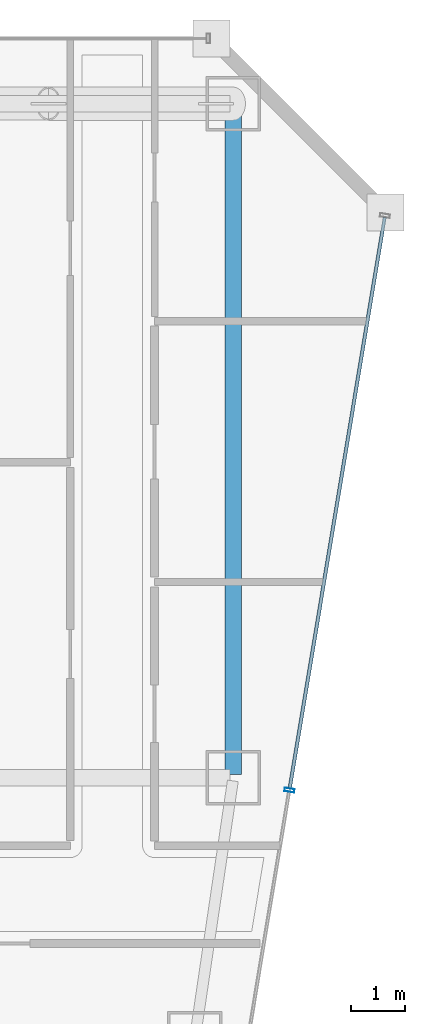
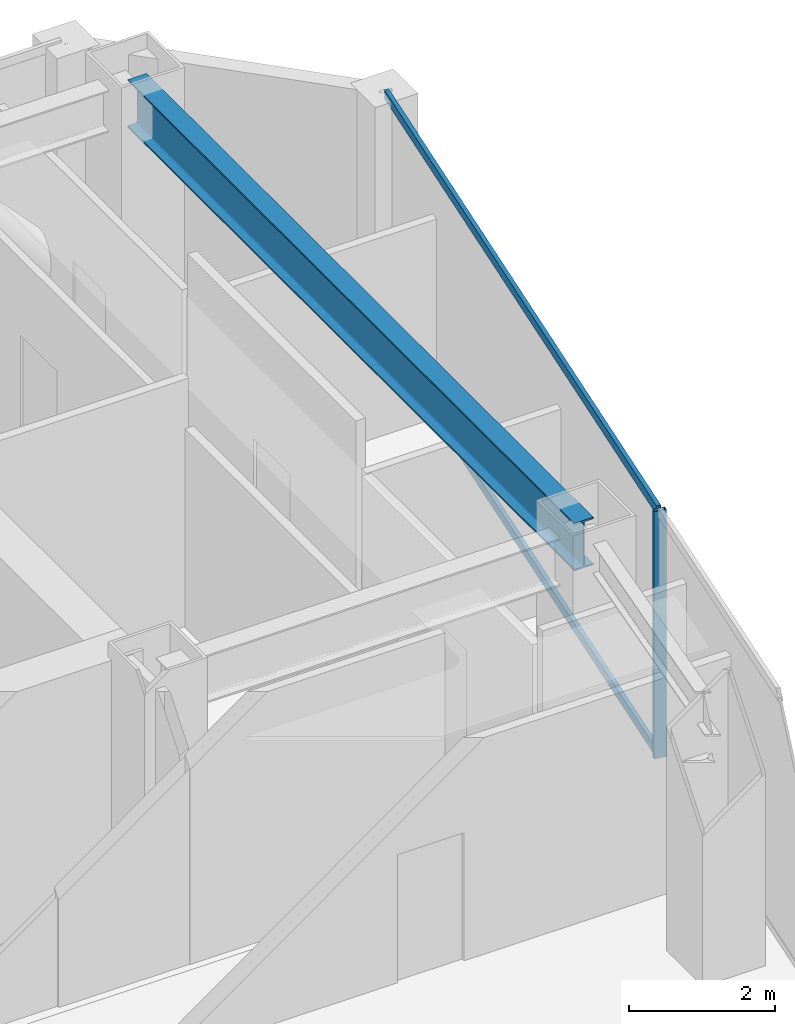
# One storey, part 23 of 35: 3 members, 1 beam, 1 element without a shape of its own.
"""IFC4 building model written with IfcOpenShell, lengths in metres."""

from ifc_helpers import new_model, si_unit, direction, frame, origin, origin_2d, place, context, subcontext, project, spatial, hollow_rectangle, i_section, extrude, material, material_profile, profile_set, type_object, element, aggregate, save


model = new_model("IFC4")

# Units and contexts
model_context = context("Model", 3, precision=1e-05, world=origin(), true_north=direction((0.0, 1.0)))
body_context = subcontext(model_context, "Body", "Model", "MODEL_VIEW")
ifc_project = project(units=[si_unit("LENGTHUNIT", "METRE"), si_unit("AREAUNIT", "SQUARE_METRE"), si_unit("VOLUMEUNIT", "CUBIC_METRE"), si_unit("PLANEANGLEUNIT", "RADIAN"), si_unit("MASSUNIT", "GRAM", prefix="KILO")], contexts=[model_context])

# Site, building, storey
site_placement = place(None, origin())
site = spatial("IfcSite", under=ifc_project, at=site_placement, CompositionType="ELEMENT")
building_placement = place(site_placement, origin())
building = spatial("IfcBuilding", under=site, at=building_placement, Name="Saevonmaru Cultural Tower", CompositionType="ELEMENT")
storey_placement = place(building_placement, frame((0.0, 0.0, 101.60009765625)))
storey = spatial("IfcBuildingStorey", under=building, at=storey_placement, Name="L21", CompositionType="ELEMENT", Elevation=101.60009765625)

# Beam
ifc_material_1 = material(Name="Steel SM420", Category="steel")
ifc_material_profile_1 = material_profile(ifc_material_1, i_section(OverallWidth=0.300048828125, OverallDepth=0.800048828125, WebThickness=0.013916015625, FlangeThickness=0.02587890625, FilletRadius=0.028076171875, at=origin_2d()), Name="H-800x300x14x26")
ifc_profile_set_1 = profile_set([ifc_material_profile_1], Name="Steel SM420")
beam_type = type_object("IfcBeamType", Name="BM-G-H800", PredefinedType="BEAM", material=ifc_profile_set_1)
beam_placement = place(storey_placement, frame((53.199951171875, 54.739990234375, 3.75), z_axis=(0.0, -1.0, 0.0), x_axis=(1.0, 0.0, 0.0)))
element("IfcBeam", 1, at=beam_placement, inside=storey, type_object=beam_type, Name="L21 Spine Transverse Girder E", PredefinedType="BEAM", context=body_context, shape_type="SweptSolid", body=[
    extrude(i_section(OverallWidth=0.300048828125, OverallDepth=0.800048828125, WebThickness=0.013916015625, FlangeThickness=0.02587890625, FilletRadius=0.028076171875, at=origin_2d()), origin(), (0.0, 0.0, 1.0), 12.280029296875),
])

# Curtain wall, members
ifc_material_2 = material(Name="Satin Bronze Anodised Aluminium", Category="aluminium")
curtain_wall_type = type_object("IfcCurtainWallType", Name="CW-TYP-A", PredefinedType="NOTDEFINED", material=ifc_material_2)
curtain_wall_placement = place(storey_placement, origin())
curtain_wall = element("IfcCurtainWall", 2, at=curtain_wall_placement, inside=storey, type_object=curtain_wall_type, Name="L21 Unitised Curtain Wall E8", PredefinedType="NOTDEFINED")
ifc_material_profile_2 = material_profile(ifc_material_2, hollow_rectangle(XDim=0.06494140625, YDim=0.179931640625, WallThickness=0.00390625, at=origin_2d()), Name="ALU-MULL-180x65x4")
ifc_profile_set_2 = profile_set([ifc_material_profile_2], Name="Satin Bronze Anodised Aluminium")
member_type_1 = type_object("IfcMemberType", Name="ML-CW-180x65", PredefinedType="MULLION", material=ifc_profile_set_2)
member_1_placement = place(storey_placement, frame((54.23291015625, 42.17041015625, 0.0), z_axis=(0.0, 0.0, 1.0), x_axis=(0.163998702345, 0.986460554523, 0.0)))
member_1 = element("IfcMember", 3, at=member_1_placement, type_object=member_type_1, Name="CW-TW-L21-E8 mullion 4", PredefinedType="MULLION", context=body_context, shape_type="SweptSolid", body=[
    extrude(hollow_rectangle(XDim=0.06494140625, YDim=0.179931640625, WallThickness=0.00390625, at=origin_2d()), origin(), (0.0, 0.0, 1.0), 4.14990234375),
])
ifc_material_profile_3 = material_profile(ifc_material_2, hollow_rectangle(XDim=0.06494140625, YDim=0.14990234375, WallThickness=0.00390625, at=origin_2d()), Name="ALU-TRAN-150x65x4")
ifc_profile_set_3 = profile_set([ifc_material_profile_3], Name="Satin Bronze Anodised Aluminium")
member_type_2 = type_object("IfcMemberType", Name="TR-CW-150x65", PredefinedType="USERDEFINED", material=ifc_profile_set_3)
member_2_placement = place(storey_placement, frame((54.23828125, 42.202392578125, 0.032470703125), z_axis=(0.163990079074, 0.9864619881, 0.0), x_axis=(-0.9864619881, 0.163990079074, 0.0)))
member_2 = element("IfcMember", 4, at=member_2_placement, type_object=member_type_2, Name="CW-TW-L21-E8 transom 4.1", ObjectType="TRANSOM", PredefinedType="USERDEFINED", context=body_context, shape_type="SweptSolid", body=[
    extrude(hollow_rectangle(XDim=0.06494140625, YDim=0.14990234375, WallThickness=0.00390625, at=origin_2d()), origin(), (0.0, 0.0, 1.0), 10.650634765625),
])
member_3_placement = place(storey_placement, frame((54.23828125, 42.202392578125, 4.117431640625), z_axis=(0.163990079074, 0.9864619881, 0.0), x_axis=(-0.9864619881, 0.163990079074, 0.0)))
member_3 = element("IfcMember", 5, at=member_3_placement, type_object=member_type_2, Name="CW-TW-L21-E8 transom 4.2", ObjectType="TRANSOM", PredefinedType="USERDEFINED", context=body_context, shape_type="SweptSolid", body=[
    extrude(hollow_rectangle(XDim=0.06494140625, YDim=0.14990234375, WallThickness=0.00390625, at=origin_2d()), origin(), (0.0, 0.0, 1.0), 10.650634765625),
])
aggregate(curtain_wall, [member_1, member_2, member_3])

save(model, "model.ifc")
